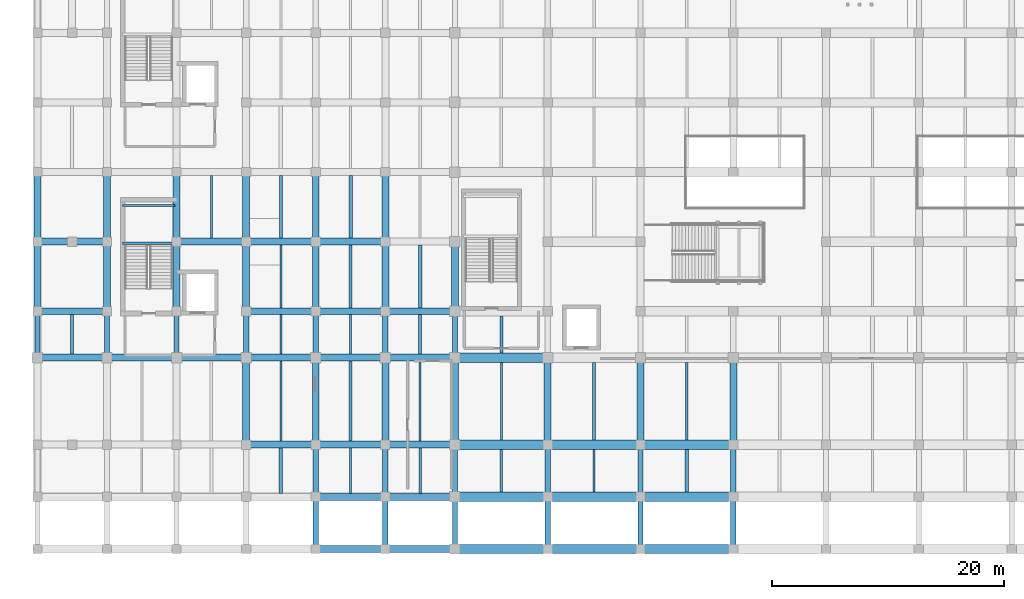
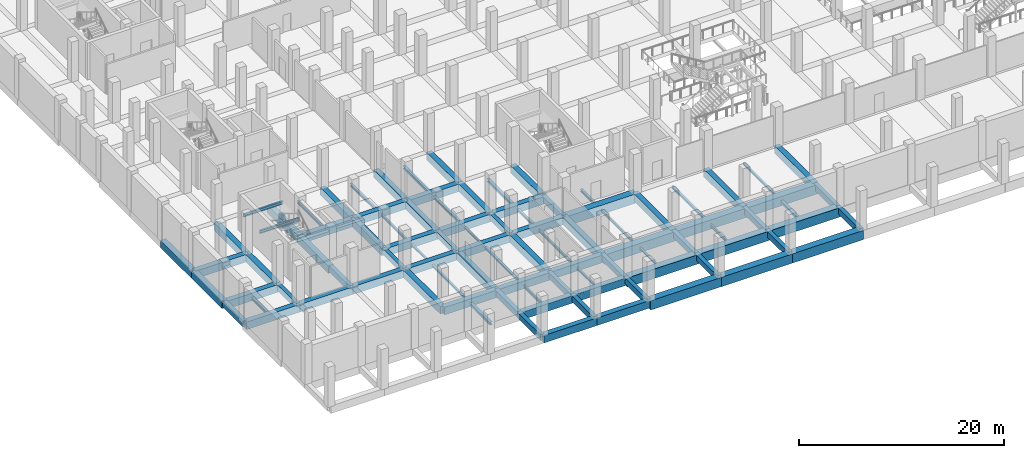
# One storey, part 11 of 36: 96 beams.
"""IFC4 building model written with IfcOpenShell, lengths in metres."""

from ifc_helpers import new_model, si_unit, direction, frame, origin, origin_2d, place, context, subcontext, project, spatial, rectangle, i_section, extrude, material, material_profile, profile_set, type_object, element, save


model = new_model("IFC4")

# Units and contexts
model_context = context("Model", 3, precision=1e-05, world=origin(), true_north=direction((0.0, 1.0)))
body_context = subcontext(model_context, "Body", "Model", "MODEL_VIEW")
ifc_project = project(units=[si_unit("LENGTHUNIT", "METRE"), si_unit("AREAUNIT", "SQUARE_METRE"), si_unit("VOLUMEUNIT", "CUBIC_METRE"), si_unit("PLANEANGLEUNIT", "RADIAN"), si_unit("MASSUNIT", "GRAM", prefix="KILO")], contexts=[model_context])

# Site, building, storey
site_placement = place(None, origin())
site = spatial("IfcSite", under=ifc_project, at=site_placement, CompositionType="ELEMENT")
building_placement = place(site_placement, origin())
building = spatial("IfcBuilding", under=site, at=building_placement, Name="Verrall Gate Interchange", CompositionType="ELEMENT")
storey_placement = place(building_placement, frame((0.0, 0.0, -4.800048828125)))
storey = spatial("IfcBuildingStorey", under=building, at=storey_placement, Name="B1", CompositionType="ELEMENT", Elevation=-4.800048828125)

# Beams
ifc_material_1 = material(Name="Concrete CSA A23.1 35 MPa (Class S-2)", Category="concrete")
ifc_material_profile_1 = material_profile(ifc_material_1, rectangle(XDim=0.800048828125, YDim=1.10009765625, at=origin_2d()), Name="RC800x1100")
ifc_profile_set_1 = profile_set([ifc_material_profile_1], Name="Concrete CSA A23.1 35 MPa (Class S-2)")
beam_type_1 = type_object("IfcBeamType", Name="B-01 Structural Beam RC800x1100", PredefinedType="BEAM", material=ifc_profile_set_1)
for number, where, z_axis, x_axis, name in (
    (1, (36.0, -4.5, -0.550048828125), (1.0, 0.0, 0.0), (0.0, 1.0, 0.0), "B1 Girder BM-B1-0007 (B-01)"),
    (2, (44.0, -4.5, -0.550048828125), (1.0, 0.0, 0.0), (0.0, 1.0, 0.0), "B1 Girder BM-B1-0008 (B-01)"),
    (3, (52.0, -4.5, -0.550048828125), (1.0, 0.0, 0.0), (0.0, 1.0, 0.0), "B1 Girder BM-B1-0009 (B-01)"),
    (4, (36.0, 0.0, -0.550048828125), (1.0, 0.0, 0.0), (0.0, 1.0, 0.0), "B1 Girder BM-B1-0022 (B-01)"),
    (5, (44.0, 0.0, -0.550048828125), (1.0, 0.0, 0.0), (0.0, 1.0, 0.0), "B1 Girder BM-B1-0023 (B-01)"),
    (6, (52.0, 0.0, -0.550048828125), (1.0, 0.0, 0.0), (0.0, 1.0, 0.0), "B1 Girder BM-B1-0024 (B-01)"),
    (7, (36.0, 4.5, -0.550048828125), (1.0, 0.0, 0.0), (0.0, 1.0, 0.0), "B1 Girder BM-B1-0038 (B-01)"),
    (8, (44.0, 4.5, -0.550048828125), (1.0, 0.0, 0.0), (0.0, 1.0, 0.0), "B1 Girder BM-B1-0039 (B-01)"),
    (9, (52.0, 4.5, -0.550048828125), (1.0, 0.0, 0.0), (0.0, 1.0, 0.0), "B1 Girder BM-B1-0040 (B-01)"),
    (10, (36.0, 12.0, -0.550048828125), (1.0, 0.0, 0.0), (0.0, 1.0, 0.0), "B1 Girder BM-B1-0053 (B-01)"),
):
    element("IfcBeam", number, at=place(storey_placement, frame(where, z_axis=z_axis, x_axis=x_axis)), inside=storey, type_object=beam_type_1, Name=name, PredefinedType="BEAM", context=body_context, shape_type="SweptSolid", body=[
        extrude(rectangle(XDim=0.800048828125, YDim=1.10009765625, at=origin_2d()), origin(), (0.0, 0.0, 1.0), 8.0),
    ])
ifc_material_2 = material(Name="Concrete CSA A23.1 40 MPa (Class N)", Category="concrete")
ifc_material_profile_2 = material_profile(ifc_material_2, rectangle(XDim=0.60009765625, YDim=0.89990234375, at=origin_2d()), Name="RC600x900")
ifc_profile_set_2 = profile_set([ifc_material_profile_2], Name="Concrete CSA A23.1 40 MPa (Class N)")
beam_type_2 = type_object("IfcBeamType", Name="B-02 Structural Beam RC600x900", PredefinedType="BEAM", material=ifc_profile_set_2)
for number, where, z_axis, x_axis, name in (
    (11, (24.0, -4.5, -0.449951171875), (1.0, 0.0, 0.0), (0.0, 1.0, 0.0), "B1 Girder BM-B1-0005 (B-02)"),
    (12, (30.0, -4.5, -0.449951171875), (1.0, 0.0, 0.0), (0.0, 1.0, 0.0), "B1 Girder BM-B1-0006 (B-02)"),
    (13, (24.0, 0.0, -0.449951171875), (1.0, 0.0, 0.0), (0.0, 1.0, 0.0), "B1 Girder BM-B1-0020 (B-02)"),
    (14, (30.0, 0.0, -0.449951171875), (1.0, 0.0, 0.0), (0.0, 1.0, 0.0), "B1 Girder BM-B1-0021 (B-02)"),
    (15, (18.0, 4.5, -0.449951171875), (1.0, 0.0, 0.0), (0.0, 1.0, 0.0), "B1 Girder BM-B1-0035 (B-02)"),
    (16, (24.0, 4.5, -0.449951171875), (1.0, 0.0, 0.0), (0.0, 1.0, 0.0), "B1 Girder BM-B1-0036 (B-02)"),
    (17, (30.0, 4.5, -0.449951171875), (1.0, 0.0, 0.0), (0.0, 1.0, 0.0), "B1 Girder BM-B1-0037 (B-02)"),
    (18, (0.0, 12.0, -0.449951171875), (1.0, 0.0, 0.0), (0.0, 1.0, 0.0), "B1 Girder BM-B1-0047 (B-02)"),
    (19, (6.0, 12.0, -0.449951171875), (1.0, 0.0, 0.0), (0.0, 1.0, 0.0), "B1 Girder BM-B1-0048 (B-02)"),
    (20, (12.0, 12.0, -0.449951171875), (1.0, 0.0, 0.0), (0.0, 1.0, 0.0), "B1 Girder BM-B1-0049 (B-02)"),
    (21, (18.0, 12.0, -0.449951171875), (1.0, 0.0, 0.0), (0.0, 1.0, 0.0), "B1 Girder BM-B1-0050 (B-02)"),
    (22, (24.0, 12.0, -0.449951171875), (1.0, 0.0, 0.0), (0.0, 1.0, 0.0), "B1 Girder BM-B1-0051 (B-02)"),
    (23, (30.0, 12.0, -0.449951171875), (1.0, 0.0, 0.0), (0.0, 1.0, 0.0), "B1 Girder BM-B1-0052 (B-02)"),
    (24, (0.0, 16.0, -0.449951171875), (1.0, 0.0, 0.0), (0.0, 1.0, 0.0), "B1 Girder BM-B1-0071 (B-02)"),
    (25, (18.0, 16.0, -0.449951171875), (1.0, 0.0, 0.0), (0.0, 1.0, 0.0), "B1 Girder BM-B1-0072 (B-02)"),
    (26, (24.0, 16.0, -0.449951171875), (1.0, 0.0, 0.0), (0.0, 1.0, 0.0), "B1 Girder BM-B1-0073 (B-02)"),
    (27, (30.0, 16.0, -0.449951171875), (1.0, 0.0, 0.0), (0.0, 1.0, 0.0), "B1 Girder BM-B1-0074 (B-02)"),
):
    element("IfcBeam", number, at=place(storey_placement, frame(where, z_axis=z_axis, x_axis=x_axis)), inside=storey, type_object=beam_type_2, Name=name, PredefinedType="BEAM", context=body_context, shape_type="SweptSolid", body=[
        extrude(rectangle(XDim=0.60009765625, YDim=0.89990234375, at=origin_2d()), origin(), (0.0, 0.0, 1.0), 6.0),
    ])
for number, where, z_axis, x_axis, name in (
    (28, (0.0, 22.0, -0.449951171875), (1.0, 0.0, 0.0), (0.0, 1.0, 0.0), "B1 Girder BM-B1-0091 (B-02)"),
    (29, (3.0, 22.0, -0.449951171875), (1.0, 0.0, 0.0), (0.0, 1.0, 0.0), "B1 Girder BM-B1-0092 (B-02)"),
):
    element("IfcBeam", number, at=place(storey_placement, frame(where, z_axis=z_axis, x_axis=x_axis)), inside=storey, type_object=beam_type_2, Name=name, PredefinedType="BEAM", context=body_context, shape_type="SweptSolid", body=[
        extrude(rectangle(XDim=0.60009765625, YDim=0.89990234375, at=origin_2d()), origin(), (0.0, 0.0, 1.0), 3.0),
    ])
for number, where, z_axis, x_axis, name in (
    (30, (12.0, 22.0, -0.449951171875), (1.0, 0.0, 0.0), (0.0, 1.0, 0.0), "B1 Girder BM-B1-0093 (B-02)"),
    (31, (18.0, 22.0, -0.449951171875), (1.0, 0.0, 0.0), (0.0, 1.0, 0.0), "B1 Girder BM-B1-0094 (B-02)"),
    (32, (24.0, 22.0, -0.449951171875), (1.0, 0.0, 0.0), (0.0, 1.0, 0.0), "B1 Girder BM-B1-0095 (B-02)"),
    (33, (0.0, 16.0, -0.449951171875), (0.0, 1.0, 0.0), (-1.0, 0.0, 0.0), "B1 Girder BM-B1-0267 (B-02)"),
    (34, (0.0, 22.0, -0.449951171875), (0.0, 1.0, 0.0), (-1.0, 0.0, 0.0), "B1 Girder BM-B1-0268 (B-02)"),
    (35, (6.0, 16.0, -0.449951171875), (0.0, 1.0, 0.0), (-1.0, 0.0, 0.0), "B1 Girder BM-B1-0283 (B-02)"),
    (36, (6.0, 22.0, -0.449951171875), (0.0, 1.0, 0.0), (-1.0, 0.0, 0.0), "B1 Girder BM-B1-0284 (B-02)"),
    (37, (12.0, 16.0, -0.449951171875), (0.0, 1.0, 0.0), (-1.0, 0.0, 0.0), "B1 Girder BM-B1-0298 (B-02)"),
    (38, (12.0, 22.0, -0.449951171875), (0.0, 1.0, 0.0), (-1.0, 0.0, 0.0), "B1 Girder BM-B1-0299 (B-02)"),
):
    element("IfcBeam", number, at=place(storey_placement, frame(where, z_axis=z_axis, x_axis=x_axis)), inside=storey, type_object=beam_type_2, Name=name, PredefinedType="BEAM", context=body_context, shape_type="SweptSolid", body=[
        extrude(rectangle(XDim=0.60009765625, YDim=0.89990234375, at=origin_2d()), origin(), (0.0, 0.0, 1.0), 6.0),
    ])
beam_1_placement = place(storey_placement, frame((18.0, 4.5, -0.449951171875), z_axis=(0.0, 1.0, 0.0), x_axis=(-1.0, 0.0, 0.0)))
element("IfcBeam", 39, at=beam_1_placement, inside=storey, type_object=beam_type_2, Name="B1 Girder BM-B1-0311 (B-02)", PredefinedType="BEAM", context=body_context, shape_type="SweptSolid", body=[
    extrude(rectangle(XDim=0.60009765625, YDim=0.89990234375, at=origin_2d()), origin(), (0.0, 0.0, 1.0), 7.5),
])
for number, where, z_axis, x_axis, name in (
    (40, (18.0, 16.0, -0.449951171875), (0.0, 1.0, 0.0), (-1.0, 0.0, 0.0), "B1 Girder BM-B1-0313 (B-02)"),
    (41, (18.0, 22.0, -0.449951171875), (0.0, 1.0, 0.0), (-1.0, 0.0, 0.0), "B1 Girder BM-B1-0314 (B-02)"),
):
    element("IfcBeam", number, at=place(storey_placement, frame(where, z_axis=z_axis, x_axis=x_axis)), inside=storey, type_object=beam_type_2, Name=name, PredefinedType="BEAM", context=body_context, shape_type="SweptSolid", body=[
        extrude(rectangle(XDim=0.60009765625, YDim=0.89990234375, at=origin_2d()), origin(), (0.0, 0.0, 1.0), 6.0),
    ])
beam_2_placement = place(storey_placement, frame((24.0, 4.5, -0.449951171875), z_axis=(0.0, 1.0, 0.0), x_axis=(-1.0, 0.0, 0.0)))
element("IfcBeam", 42, at=beam_2_placement, inside=storey, type_object=beam_type_2, Name="B1 Girder BM-B1-0326 (B-02)", PredefinedType="BEAM", context=body_context, shape_type="SweptSolid", body=[
    extrude(rectangle(XDim=0.60009765625, YDim=0.89990234375, at=origin_2d()), origin(), (0.0, 0.0, 1.0), 7.5),
])
for number, where, z_axis, x_axis, name in (
    (43, (24.0, 16.0, -0.449951171875), (0.0, 1.0, 0.0), (-1.0, 0.0, 0.0), "B1 Girder BM-B1-0328 (B-02)"),
    (44, (24.0, 22.0, -0.449951171875), (0.0, 1.0, 0.0), (-1.0, 0.0, 0.0), "B1 Girder BM-B1-0329 (B-02)"),
):
    element("IfcBeam", number, at=place(storey_placement, frame(where, z_axis=z_axis, x_axis=x_axis)), inside=storey, type_object=beam_type_2, Name=name, PredefinedType="BEAM", context=body_context, shape_type="SweptSolid", body=[
        extrude(rectangle(XDim=0.60009765625, YDim=0.89990234375, at=origin_2d()), origin(), (0.0, 0.0, 1.0), 6.0),
    ])
beam_3_placement = place(storey_placement, frame((30.0, 4.5, -0.449951171875), z_axis=(0.0, 1.0, 0.0), x_axis=(-1.0, 0.0, 0.0)))
element("IfcBeam", 45, at=beam_3_placement, inside=storey, type_object=beam_type_2, Name="B1 Girder BM-B1-0341 (B-02)", PredefinedType="BEAM", context=body_context, shape_type="SweptSolid", body=[
    extrude(rectangle(XDim=0.60009765625, YDim=0.89990234375, at=origin_2d()), origin(), (0.0, 0.0, 1.0), 7.5),
])
for number, where, z_axis, x_axis, name in (
    (46, (30.0, 16.0, -0.449951171875), (0.0, 1.0, 0.0), (-1.0, 0.0, 0.0), "B1 Girder BM-B1-0343 (B-02)"),
    (47, (30.0, 22.0, -0.449951171875), (0.0, 1.0, 0.0), (-1.0, 0.0, 0.0), "B1 Girder BM-B1-0344 (B-02)"),
):
    element("IfcBeam", number, at=place(storey_placement, frame(where, z_axis=z_axis, x_axis=x_axis)), inside=storey, type_object=beam_type_2, Name=name, PredefinedType="BEAM", context=body_context, shape_type="SweptSolid", body=[
        extrude(rectangle(XDim=0.60009765625, YDim=0.89990234375, at=origin_2d()), origin(), (0.0, 0.0, 1.0), 6.0),
    ])
beam_4_placement = place(storey_placement, frame((36.0, 4.5, -0.449951171875), z_axis=(0.0, 1.0, 0.0), x_axis=(-1.0, 0.0, 0.0)))
element("IfcBeam", 48, at=beam_4_placement, inside=storey, type_object=beam_type_2, Name="B1 Girder BM-B1-0356 (B-02)", PredefinedType="BEAM", context=body_context, shape_type="SweptSolid", body=[
    extrude(rectangle(XDim=0.60009765625, YDim=0.89990234375, at=origin_2d()), origin(), (0.0, 0.0, 1.0), 7.5),
])
beam_5_placement = place(storey_placement, frame((36.0, 16.0, -0.449951171875), z_axis=(0.0, 1.0, 0.0), x_axis=(-1.0, 0.0, 0.0)))
element("IfcBeam", 49, at=beam_5_placement, inside=storey, type_object=beam_type_2, Name="B1 Girder BM-B1-0358 (B-02)", PredefinedType="BEAM", context=body_context, shape_type="SweptSolid", body=[
    extrude(rectangle(XDim=0.60009765625, YDim=0.89990234375, at=origin_2d()), origin(), (0.0, 0.0, 1.0), 6.0),
])
for number, where, z_axis, x_axis, name in (
    (50, (44.0, 4.5, -0.449951171875), (0.0, 1.0, 0.0), (-1.0, 0.0, 0.0), "B1 Girder BM-B1-0371 (B-02)"),
    (51, (52.0, 4.5, -0.449951171875), (0.0, 1.0, 0.0), (-1.0, 0.0, 0.0), "B1 Girder BM-B1-0382 (B-02)"),
    (52, (60.0, 4.5, -0.449951171875), (0.0, 1.0, 0.0), (-1.0, 0.0, 0.0), "B1 Girder BM-B1-0393 (B-02)"),
):
    element("IfcBeam", number, at=place(storey_placement, frame(where, z_axis=z_axis, x_axis=x_axis)), inside=storey, type_object=beam_type_2, Name=name, PredefinedType="BEAM", context=body_context, shape_type="SweptSolid", body=[
        extrude(rectangle(XDim=0.60009765625, YDim=0.89990234375, at=origin_2d()), origin(), (0.0, 0.0, 1.0), 7.5),
    ])
ifc_material_3 = material(Name="Concrete CSA A23.1 40 MPa (Class N)", Category="concrete")
ifc_material_profile_3 = material_profile(ifc_material_3, rectangle(XDim=0.449951171875, YDim=0.699951171875, at=origin_2d()), Name="RC450x700")
ifc_profile_set_3 = profile_set([ifc_material_profile_3], Name="Concrete CSA A23.1 40 MPa (Class N)")
beam_type_3 = type_object("IfcBeamType", Name="B-03 Structural Beam RC450x700", PredefinedType="BEAM", material=ifc_profile_set_3)
for number, where, z_axis, x_axis, name in (
    (53, (0.0, 12.0, -0.349853515625), (0.0, 1.0, 0.0), (-1.0, 0.0, 0.0), "B1 Girder BM-B1-0266 (B-03)"),
    (54, (6.0, 12.0, -0.349853515625), (0.0, 1.0, 0.0), (-1.0, 0.0, 0.0), "B1 Girder BM-B1-0282 (B-03)"),
    (55, (12.0, 12.0, -0.349853515625), (0.0, 1.0, 0.0), (-1.0, 0.0, 0.0), "B1 Girder BM-B1-0297 (B-03)"),
    (56, (18.0, 12.0, -0.349853515625), (0.0, 1.0, 0.0), (-1.0, 0.0, 0.0), "B1 Girder BM-B1-0312 (B-03)"),
):
    element("IfcBeam", number, at=place(storey_placement, frame(where, z_axis=z_axis, x_axis=x_axis)), inside=storey, type_object=beam_type_3, Name=name, PredefinedType="BEAM", context=body_context, shape_type="SweptSolid", body=[
        extrude(rectangle(XDim=0.449951171875, YDim=0.699951171875, at=origin_2d()), origin(), (0.0, 0.0, 1.0), 4.0),
    ])
for number, where, z_axis, x_axis, name in (
    (57, (24.0, -4.5, -0.349853515625), (0.0, 1.0, 0.0), (-1.0, 0.0, 0.0), "B1 Girder BM-B1-0324 (B-03)"),
    (58, (24.0, 0.0, -0.349853515625), (0.0, 1.0, 0.0), (-1.0, 0.0, 0.0), "B1 Girder BM-B1-0325 (B-03)"),
):
    element("IfcBeam", number, at=place(storey_placement, frame(where, z_axis=z_axis, x_axis=x_axis)), inside=storey, type_object=beam_type_3, Name=name, PredefinedType="BEAM", context=body_context, shape_type="SweptSolid", body=[
        extrude(rectangle(XDim=0.449951171875, YDim=0.699951171875, at=origin_2d()), origin(), (0.0, 0.0, 1.0), 4.5),
    ])
beam_6_placement = place(storey_placement, frame((24.0, 12.0, -0.349853515625), z_axis=(0.0, 1.0, 0.0), x_axis=(-1.0, 0.0, 0.0)))
element("IfcBeam", 59, at=beam_6_placement, inside=storey, type_object=beam_type_3, Name="B1 Girder BM-B1-0327 (B-03)", PredefinedType="BEAM", context=body_context, shape_type="SweptSolid", body=[
    extrude(rectangle(XDim=0.449951171875, YDim=0.699951171875, at=origin_2d()), origin(), (0.0, 0.0, 1.0), 4.0),
])
for number, where, z_axis, x_axis, name in (
    (60, (30.0, -4.5, -0.349853515625), (0.0, 1.0, 0.0), (-1.0, 0.0, 0.0), "B1 Girder BM-B1-0339 (B-03)"),
    (61, (30.0, 0.0, -0.349853515625), (0.0, 1.0, 0.0), (-1.0, 0.0, 0.0), "B1 Girder BM-B1-0340 (B-03)"),
):
    element("IfcBeam", number, at=place(storey_placement, frame(where, z_axis=z_axis, x_axis=x_axis)), inside=storey, type_object=beam_type_3, Name=name, PredefinedType="BEAM", context=body_context, shape_type="SweptSolid", body=[
        extrude(rectangle(XDim=0.449951171875, YDim=0.699951171875, at=origin_2d()), origin(), (0.0, 0.0, 1.0), 4.5),
    ])
beam_7_placement = place(storey_placement, frame((30.0, 12.0, -0.349853515625), z_axis=(0.0, 1.0, 0.0), x_axis=(-1.0, 0.0, 0.0)))
element("IfcBeam", 62, at=beam_7_placement, inside=storey, type_object=beam_type_3, Name="B1 Girder BM-B1-0342 (B-03)", PredefinedType="BEAM", context=body_context, shape_type="SweptSolid", body=[
    extrude(rectangle(XDim=0.449951171875, YDim=0.699951171875, at=origin_2d()), origin(), (0.0, 0.0, 1.0), 4.0),
])
for number, where, z_axis, x_axis, name in (
    (63, (36.0, -4.5, -0.349853515625), (0.0, 1.0, 0.0), (-1.0, 0.0, 0.0), "B1 Girder BM-B1-0354 (B-03)"),
    (64, (36.0, 0.0, -0.349853515625), (0.0, 1.0, 0.0), (-1.0, 0.0, 0.0), "B1 Girder BM-B1-0355 (B-03)"),
):
    element("IfcBeam", number, at=place(storey_placement, frame(where, z_axis=z_axis, x_axis=x_axis)), inside=storey, type_object=beam_type_3, Name=name, PredefinedType="BEAM", context=body_context, shape_type="SweptSolid", body=[
        extrude(rectangle(XDim=0.449951171875, YDim=0.699951171875, at=origin_2d()), origin(), (0.0, 0.0, 1.0), 4.5),
    ])
beam_8_placement = place(storey_placement, frame((36.0, 12.0, -0.349853515625), z_axis=(0.0, 1.0, 0.0), x_axis=(-1.0, 0.0, 0.0)))
element("IfcBeam", 65, at=beam_8_placement, inside=storey, type_object=beam_type_3, Name="B1 Girder BM-B1-0357 (B-03)", PredefinedType="BEAM", context=body_context, shape_type="SweptSolid", body=[
    extrude(rectangle(XDim=0.449951171875, YDim=0.699951171875, at=origin_2d()), origin(), (0.0, 0.0, 1.0), 4.0),
])
for number, where, z_axis, x_axis, name in (
    (66, (44.0, -4.5, -0.349853515625), (0.0, 1.0, 0.0), (-1.0, 0.0, 0.0), "B1 Girder BM-B1-0369 (B-03)"),
    (67, (44.0, 0.0, -0.349853515625), (0.0, 1.0, 0.0), (-1.0, 0.0, 0.0), "B1 Girder BM-B1-0370 (B-03)"),
    (68, (52.0, -4.5, -0.349853515625), (0.0, 1.0, 0.0), (-1.0, 0.0, 0.0), "B1 Girder BM-B1-0380 (B-03)"),
    (69, (52.0, 0.0, -0.349853515625), (0.0, 1.0, 0.0), (-1.0, 0.0, 0.0), "B1 Girder BM-B1-0381 (B-03)"),
    (70, (60.0, -4.5, -0.349853515625), (0.0, 1.0, 0.0), (-1.0, 0.0, 0.0), "B1 Girder BM-B1-0391 (B-03)"),
    (71, (60.0, 0.0, -0.349853515625), (0.0, 1.0, 0.0), (-1.0, 0.0, 0.0), "B1 Girder BM-B1-0392 (B-03)"),
):
    element("IfcBeam", number, at=place(storey_placement, frame(where, z_axis=z_axis, x_axis=x_axis)), inside=storey, type_object=beam_type_3, Name=name, PredefinedType="BEAM", context=body_context, shape_type="SweptSolid", body=[
        extrude(rectangle(XDim=0.449951171875, YDim=0.699951171875, at=origin_2d()), origin(), (0.0, 0.0, 1.0), 4.5),
    ])
ifc_material_4 = material(Name="Structural Steel CSA G40.21 350W", Category="steel")
ifc_material_profile_4 = material_profile(ifc_material_4, i_section(OverallWidth=0.205078125, OverallDepth=0.35400390625, WebThickness=0.009521484375, FlangeThickness=0.016845703125, FilletRadius=0.012939453125, at=origin_2d()), Name="W360x79")
ifc_profile_set_4 = profile_set([ifc_material_profile_4], Name="Structural Steel CSA G40.21 350W")
beam_type_4 = type_object("IfcBeamType", Name="B-14 Structural Beam W360x79", PredefinedType="BEAM", material=ifc_profile_set_4)
for number, where, z_axis, x_axis, name in (
    (72, (7.35009765625, 21.8701171875, 2.030029296875), (1.0, 0.0, 0.0), (0.0, 1.0, 0.0), "B1 Core C1 Mid-Landing Beam 1"),
    (73, (7.35009765625, 25.1201171875, 2.030029296875), (1.0, 0.0, 0.0), (0.0, 1.0, 0.0), "B1 Core C1 Mid-Landing Beam 2"),
):
    element("IfcBeam", number, at=place(storey_placement, frame(where, z_axis=z_axis, x_axis=x_axis)), inside=storey, type_object=beam_type_4, Name=name, PredefinedType="BEAM", context=body_context, shape_type="SweptSolid", body=[
        extrude(i_section(OverallWidth=0.205078125, OverallDepth=0.35400390625, WebThickness=0.009521484375, FlangeThickness=0.016845703125, FilletRadius=0.012939453125, at=origin_2d()), origin(), (0.0, 0.0, 1.0), 4.5),
    ])
ifc_material_5 = material(Name="Structural Steel CSA G40.21 350W", Category="steel")
ifc_material_profile_5 = material_profile(ifc_material_5, i_section(OverallWidth=0.172119140625, OverallDepth=0.35791015625, WebThickness=0.0078125, FlangeThickness=0.01318359375, FilletRadius=0.010986328125, at=origin_2d()), Name="W360x57")
ifc_profile_set_5 = profile_set([ifc_material_profile_5], Name="Structural Steel CSA G40.21 350W")
beam_type_5 = type_object("IfcBeamType", Name="J-01 Floor Joist W360x57", PredefinedType="JOIST", material=ifc_profile_set_5)
beam_9_placement = place(storey_placement, frame((27.0, 0.300048828125, -0.62890625), z_axis=(0.0, 1.0, 0.0), x_axis=(-1.0, 0.0, 0.0)))
element("IfcBeam", 74, at=beam_9_placement, inside=storey, type_object=beam_type_5, Name="B1 Secondary Floor Joist JST-B1-0537", PredefinedType="JOIST", context=body_context, shape_type="SweptSolid", body=[
    extrude(i_section(OverallWidth=0.172119140625, OverallDepth=0.35791015625, WebThickness=0.0078125, FlangeThickness=0.01318359375, FilletRadius=0.010986328125, at=origin_2d()), origin(), (0.0, 0.0, 1.0), 3.89990234375),
])
beam_10_placement = place(storey_placement, frame((48.0, 0.39990234375, -0.62890625), z_axis=(0.0, 1.0, 0.0), x_axis=(-1.0, 0.0, 0.0)))
element("IfcBeam", 75, at=beam_10_placement, inside=storey, type_object=beam_type_5, Name="B1 Secondary Floor Joist JST-B1-0540", PredefinedType="JOIST", context=body_context, shape_type="SweptSolid", body=[
    extrude(i_section(OverallWidth=0.172119140625, OverallDepth=0.35791015625, WebThickness=0.0078125, FlangeThickness=0.01318359375, FilletRadius=0.010986328125, at=origin_2d()), origin(), (0.0, 0.0, 1.0), 3.7001953125),
])
ifc_material_6 = material(Name="Structural Steel CSA G40.21 350W", Category="steel")
ifc_material_profile_6 = material_profile(ifc_material_6, i_section(OverallWidth=0.306884765625, OverallDepth=0.31396484375, WebThickness=0.011962890625, FlangeThickness=0.018798828125, FilletRadius=0.013916015625, at=origin_2d()), Name="W310x118")
ifc_profile_set_6 = profile_set([ifc_material_profile_6], Name="Structural Steel CSA G40.21 350W")
beam_type_6 = type_object("IfcBeamType", Name="J-02 Floor Joist W310x118", PredefinedType="JOIST", material=ifc_profile_set_6)
beam_11_placement = place(storey_placement, frame((21.0, 0.300048828125, -0.60693359375), z_axis=(0.0, 1.0, 0.0), x_axis=(-1.0, 0.0, 0.0)))
element("IfcBeam", 76, at=beam_11_placement, inside=storey, type_object=beam_type_6, Name="B1 Secondary Floor Joist JST-B1-0536", PredefinedType="JOIST", context=body_context, shape_type="SweptSolid", body=[
    extrude(i_section(OverallWidth=0.306884765625, OverallDepth=0.31396484375, WebThickness=0.011962890625, FlangeThickness=0.018798828125, FilletRadius=0.013916015625, at=origin_2d()), origin(), (0.0, 0.0, 1.0), 3.89990234375),
])
beam_12_placement = place(storey_placement, frame((56.0, 0.39990234375, -0.60693359375), z_axis=(0.0, 1.0, 0.0), x_axis=(-1.0, 0.0, 0.0)))
element("IfcBeam", 77, at=beam_12_placement, inside=storey, type_object=beam_type_6, Name="B1 Secondary Floor Joist JST-B1-0541", PredefinedType="JOIST", context=body_context, shape_type="SweptSolid", body=[
    extrude(i_section(OverallWidth=0.306884765625, OverallDepth=0.31396484375, WebThickness=0.011962890625, FlangeThickness=0.018798828125, FilletRadius=0.013916015625, at=origin_2d()), origin(), (0.0, 0.0, 1.0), 3.7001953125),
])
for number, where, z_axis, x_axis, name in (
    (78, (33.0, 16.300048828125, -0.60693359375), (0.0, 1.0, 0.0), (-1.0, 0.0, 0.0), "B1 Secondary Floor Joist JST-B1-0584"),
    (79, (27.0, 22.300048828125, -0.60693359375), (0.0, 1.0, 0.0), (-1.0, 0.0, 0.0), "B1 Secondary Floor Joist JST-B1-0596"),
):
    element("IfcBeam", number, at=place(storey_placement, frame(where, z_axis=z_axis, x_axis=x_axis)), inside=storey, type_object=beam_type_6, Name=name, PredefinedType="JOIST", context=body_context, shape_type="SweptSolid", body=[
        extrude(i_section(OverallWidth=0.306884765625, OverallDepth=0.31396484375, WebThickness=0.011962890625, FlangeThickness=0.018798828125, FilletRadius=0.013916015625, at=origin_2d()), origin(), (0.0, 0.0, 1.0), 5.39990234375),
    ])
ifc_material_7 = material(Name="Structural Steel CSA G40.21 350W", Category="steel")
ifc_material_profile_7 = material_profile(ifc_material_7, i_section(OverallWidth=0.25390625, OverallDepth=0.305908203125, WebThickness=0.0087890625, FlangeThickness=0.0146484375, FilletRadius=0.012939453125, at=origin_2d()), Name="W310x79")
ifc_profile_set_7 = profile_set([ifc_material_profile_7], Name="Structural Steel CSA G40.21 350W")
beam_type_7 = type_object("IfcBeamType", Name="J-03 Floor Joist W310x79", PredefinedType="JOIST", material=ifc_profile_set_7)
beam_13_placement = place(storey_placement, frame((3.0, 12.300048828125, -0.60302734375), z_axis=(0.0, 1.0, 0.0), x_axis=(-1.0, 0.0, 0.0)))
element("IfcBeam", 80, at=beam_13_placement, inside=storey, type_object=beam_type_7, Name="B1 Secondary Floor Joist JST-B1-0562", PredefinedType="JOIST", context=body_context, shape_type="SweptSolid", body=[
    extrude(i_section(OverallWidth=0.25390625, OverallDepth=0.305908203125, WebThickness=0.0087890625, FlangeThickness=0.0146484375, FilletRadius=0.012939453125, at=origin_2d()), origin(), (0.0, 0.0, 1.0), 3.39990234375),
])
for number, where, z_axis, x_axis, name in (
    (81, (27.0, 16.300048828125, -0.60302734375), (0.0, 1.0, 0.0), (-1.0, 0.0, 0.0), "B1 Secondary Floor Joist JST-B1-0583"),
    (82, (21.0, 22.300048828125, -0.60302734375), (0.0, 1.0, 0.0), (-1.0, 0.0, 0.0), "B1 Secondary Floor Joist JST-B1-0595"),
):
    element("IfcBeam", number, at=place(storey_placement, frame(where, z_axis=z_axis, x_axis=x_axis)), inside=storey, type_object=beam_type_7, Name=name, PredefinedType="JOIST", context=body_context, shape_type="SweptSolid", body=[
        extrude(i_section(OverallWidth=0.25390625, OverallDepth=0.305908203125, WebThickness=0.0087890625, FlangeThickness=0.0146484375, FilletRadius=0.012939453125, at=origin_2d()), origin(), (0.0, 0.0, 1.0), 5.39990234375),
    ])
ifc_material_8 = material(Name="Structural Steel CSA G40.21 350W", Category="steel")
ifc_material_profile_8 = material_profile(ifc_material_8, i_section(OverallWidth=0.1650390625, OverallDepth=0.31005859375, WebThickness=0.005859375, FlangeThickness=0.009765625, FilletRadius=0.010009765625, at=origin_2d()), Name="W310x39")
ifc_profile_set_8 = profile_set([ifc_material_profile_8], Name="Structural Steel CSA G40.21 350W")
beam_type_8 = type_object("IfcBeamType", Name="J-04 Floor Joist W310x39", PredefinedType="JOIST", material=ifc_profile_set_8)
beam_14_placement = place(storey_placement, frame((33.0, 4.800048828125, -0.60498046875), z_axis=(0.0, 1.0, 0.0), x_axis=(-1.0, 0.0, 0.0)))
element("IfcBeam", 83, at=beam_14_placement, inside=storey, type_object=beam_type_8, Name="B1 Secondary Floor Joist JST-B1-0552", PredefinedType="JOIST", context=body_context, shape_type="SweptSolid", body=[
    extrude(i_section(OverallWidth=0.1650390625, OverallDepth=0.31005859375, WebThickness=0.005859375, FlangeThickness=0.009765625, FilletRadius=0.010009765625, at=origin_2d()), origin(), (0.0, 0.0, 1.0), 6.89990234375),
])
beam_15_placement = place(storey_placement, frame((40.0, 4.89990234375, -0.60498046875), z_axis=(0.0, 1.0, 0.0), x_axis=(-1.0, 0.0, 0.0)))
element("IfcBeam", 84, at=beam_15_placement, inside=storey, type_object=beam_type_8, Name="B1 Secondary Floor Joist JST-B1-0553", PredefinedType="JOIST", context=body_context, shape_type="SweptSolid", body=[
    extrude(i_section(OverallWidth=0.1650390625, OverallDepth=0.31005859375, WebThickness=0.005859375, FlangeThickness=0.009765625, FilletRadius=0.010009765625, at=origin_2d()), origin(), (0.0, 0.0, 1.0), 6.7001953125),
])
for number, where, z_axis, x_axis, name in (
    (85, (21.0, 16.300048828125, -0.60498046875), (0.0, 1.0, 0.0), (-1.0, 0.0, 0.0), "B1 Secondary Floor Joist JST-B1-0582"),
    (86, (15.0, 22.300048828125, -0.60498046875), (0.0, 1.0, 0.0), (-1.0, 0.0, 0.0), "B1 Secondary Floor Joist JST-B1-0594"),
):
    element("IfcBeam", number, at=place(storey_placement, frame(where, z_axis=z_axis, x_axis=x_axis)), inside=storey, type_object=beam_type_8, Name=name, PredefinedType="JOIST", context=body_context, shape_type="SweptSolid", body=[
        extrude(i_section(OverallWidth=0.1650390625, OverallDepth=0.31005859375, WebThickness=0.005859375, FlangeThickness=0.009765625, FilletRadius=0.010009765625, at=origin_2d()), origin(), (0.0, 0.0, 1.0), 5.39990234375),
    ])
ifc_material_9 = material(Name="Structural Steel CSA G40.21 350W", Category="steel")
ifc_material_profile_9 = material_profile(ifc_material_9, i_section(OverallWidth=0.25390625, OverallDepth=0.2529296875, WebThickness=0.008544921875, FlangeThickness=0.01416015625, FilletRadius=0.011962890625, at=origin_2d()), Name="W250x73")
ifc_profile_set_9 = profile_set([ifc_material_profile_9], Name="Structural Steel CSA G40.21 350W")
beam_type_9 = type_object("IfcBeamType", Name="J-05 Floor Joist W250x73", PredefinedType="JOIST", material=ifc_profile_set_9)
beam_16_placement = place(storey_placement, frame((27.0, 4.800048828125, -0.576416015625), z_axis=(0.0, 1.0, 0.0), x_axis=(-1.0, 0.0, 0.0)))
element("IfcBeam", 87, at=beam_16_placement, inside=storey, type_object=beam_type_9, Name="B1 Secondary Floor Joist JST-B1-0551", PredefinedType="JOIST", context=body_context, shape_type="SweptSolid", body=[
    extrude(i_section(OverallWidth=0.25390625, OverallDepth=0.2529296875, WebThickness=0.008544921875, FlangeThickness=0.01416015625, FilletRadius=0.011962890625, at=origin_2d()), origin(), (0.0, 0.0, 1.0), 6.89990234375),
])
beam_17_placement = place(storey_placement, frame((48.0, 4.89990234375, -0.576416015625), z_axis=(0.0, 1.0, 0.0), x_axis=(-1.0, 0.0, 0.0)))
element("IfcBeam", 88, at=beam_17_placement, inside=storey, type_object=beam_type_9, Name="B1 Secondary Floor Joist JST-B1-0554", PredefinedType="JOIST", context=body_context, shape_type="SweptSolid", body=[
    extrude(i_section(OverallWidth=0.25390625, OverallDepth=0.2529296875, WebThickness=0.008544921875, FlangeThickness=0.01416015625, FilletRadius=0.011962890625, at=origin_2d()), origin(), (0.0, 0.0, 1.0), 6.7001953125),
])
beam_18_placement = place(storey_placement, frame((33.0, 12.300048828125, -0.576416015625), z_axis=(0.0, 1.0, 0.0), x_axis=(-1.0, 0.0, 0.0)))
element("IfcBeam", 89, at=beam_18_placement, inside=storey, type_object=beam_type_9, Name="B1 Secondary Floor Joist JST-B1-0565", PredefinedType="JOIST", context=body_context, shape_type="SweptSolid", body=[
    extrude(i_section(OverallWidth=0.25390625, OverallDepth=0.2529296875, WebThickness=0.008544921875, FlangeThickness=0.01416015625, FilletRadius=0.011962890625, at=origin_2d()), origin(), (0.0, 0.0, 1.0), 3.39990234375),
])
beam_19_placement = place(storey_placement, frame((40.0, 12.39990234375, -0.576416015625), z_axis=(0.0, 1.0, 0.0), x_axis=(-1.0, 0.0, 0.0)))
element("IfcBeam", 90, at=beam_19_placement, inside=storey, type_object=beam_type_9, Name="B1 Secondary Floor Joist JST-B1-0566", PredefinedType="JOIST", context=body_context, shape_type="SweptSolid", body=[
    extrude(i_section(OverallWidth=0.25390625, OverallDepth=0.2529296875, WebThickness=0.008544921875, FlangeThickness=0.01416015625, FilletRadius=0.011962890625, at=origin_2d()), origin(), (0.0, 0.0, 1.0), 3.2001953125),
])
ifc_material_10 = material(Name="Structural Steel CSA G40.21 350W", Category="steel")
ifc_material_profile_10 = material_profile(ifc_material_10, i_section(OverallWidth=0.201904296875, OverallDepth=0.2470703125, WebThickness=0.00732421875, FlangeThickness=0.010986328125, FilletRadius=0.010986328125, at=origin_2d()), Name="W250x49")
ifc_profile_set_10 = profile_set([ifc_material_profile_10], Name="Structural Steel CSA G40.21 350W")
beam_type_10 = type_object("IfcBeamType", Name="J-06 Floor Joist W250x49", PredefinedType="JOIST", material=ifc_profile_set_10)
beam_20_placement = place(storey_placement, frame((21.0, 4.800048828125, -0.573486328125), z_axis=(0.0, 1.0, 0.0), x_axis=(-1.0, 0.0, 0.0)))
element("IfcBeam", 91, at=beam_20_placement, inside=storey, type_object=beam_type_10, Name="B1 Secondary Floor Joist JST-B1-0550", PredefinedType="JOIST", context=body_context, shape_type="SweptSolid", body=[
    extrude(i_section(OverallWidth=0.201904296875, OverallDepth=0.2470703125, WebThickness=0.00732421875, FlangeThickness=0.010986328125, FilletRadius=0.010986328125, at=origin_2d()), origin(), (0.0, 0.0, 1.0), 6.89990234375),
])
beam_21_placement = place(storey_placement, frame((56.0, 4.89990234375, -0.573486328125), z_axis=(0.0, 1.0, 0.0), x_axis=(-1.0, 0.0, 0.0)))
element("IfcBeam", 92, at=beam_21_placement, inside=storey, type_object=beam_type_10, Name="B1 Secondary Floor Joist JST-B1-0555", PredefinedType="JOIST", context=body_context, shape_type="SweptSolid", body=[
    extrude(i_section(OverallWidth=0.201904296875, OverallDepth=0.2470703125, WebThickness=0.00732421875, FlangeThickness=0.010986328125, FilletRadius=0.010986328125, at=origin_2d()), origin(), (0.0, 0.0, 1.0), 6.7001953125),
])
beam_22_placement = place(storey_placement, frame((27.0, 12.300048828125, -0.573486328125), z_axis=(0.0, 1.0, 0.0), x_axis=(-1.0, 0.0, 0.0)))
element("IfcBeam", 93, at=beam_22_placement, inside=storey, type_object=beam_type_10, Name="B1 Secondary Floor Joist JST-B1-0564", PredefinedType="JOIST", context=body_context, shape_type="SweptSolid", body=[
    extrude(i_section(OverallWidth=0.201904296875, OverallDepth=0.2470703125, WebThickness=0.00732421875, FlangeThickness=0.010986328125, FilletRadius=0.010986328125, at=origin_2d()), origin(), (0.0, 0.0, 1.0), 3.39990234375),
])
ifc_material_11 = material(Name="Structural Steel CSA G40.21 350W", Category="steel")
ifc_material_profile_11 = material_profile(ifc_material_11, i_section(OverallWidth=0.202880859375, OverallDepth=0.202880859375, WebThickness=0.007080078125, FlangeThickness=0.010986328125, FilletRadius=0.010009765625, at=origin_2d()), Name="W200x46")
ifc_profile_set_11 = profile_set([ifc_material_profile_11], Name="Structural Steel CSA G40.21 350W")
beam_type_11 = type_object("IfcBeamType", Name="J-07 Floor Joist W200x46", PredefinedType="JOIST", material=ifc_profile_set_11)
beam_23_placement = place(storey_placement, frame((33.0, 0.300048828125, -0.551513671875), z_axis=(0.0, 1.0, 0.0), x_axis=(-1.0, 0.0, 0.0)))
element("IfcBeam", 94, at=beam_23_placement, inside=storey, type_object=beam_type_11, Name="B1 Secondary Floor Joist JST-B1-0538", PredefinedType="JOIST", context=body_context, shape_type="SweptSolid", body=[
    extrude(i_section(OverallWidth=0.202880859375, OverallDepth=0.202880859375, WebThickness=0.007080078125, FlangeThickness=0.010986328125, FilletRadius=0.010009765625, at=origin_2d()), origin(), (0.0, 0.0, 1.0), 3.89990234375),
])
beam_24_placement = place(storey_placement, frame((40.0, 0.39990234375, -0.551513671875), z_axis=(0.0, 1.0, 0.0), x_axis=(-1.0, 0.0, 0.0)))
element("IfcBeam", 95, at=beam_24_placement, inside=storey, type_object=beam_type_11, Name="B1 Secondary Floor Joist JST-B1-0539", PredefinedType="JOIST", context=body_context, shape_type="SweptSolid", body=[
    extrude(i_section(OverallWidth=0.202880859375, OverallDepth=0.202880859375, WebThickness=0.007080078125, FlangeThickness=0.010986328125, FilletRadius=0.010009765625, at=origin_2d()), origin(), (0.0, 0.0, 1.0), 3.7001953125),
])
beam_25_placement = place(storey_placement, frame((21.0, 12.300048828125, -0.551513671875), z_axis=(0.0, 1.0, 0.0), x_axis=(-1.0, 0.0, 0.0)))
element("IfcBeam", 96, at=beam_25_placement, inside=storey, type_object=beam_type_11, Name="B1 Secondary Floor Joist JST-B1-0563", PredefinedType="JOIST", context=body_context, shape_type="SweptSolid", body=[
    extrude(i_section(OverallWidth=0.202880859375, OverallDepth=0.202880859375, WebThickness=0.007080078125, FlangeThickness=0.010986328125, FilletRadius=0.010009765625, at=origin_2d()), origin(), (0.0, 0.0, 1.0), 3.39990234375),
])

save(model, "model.ifc")
